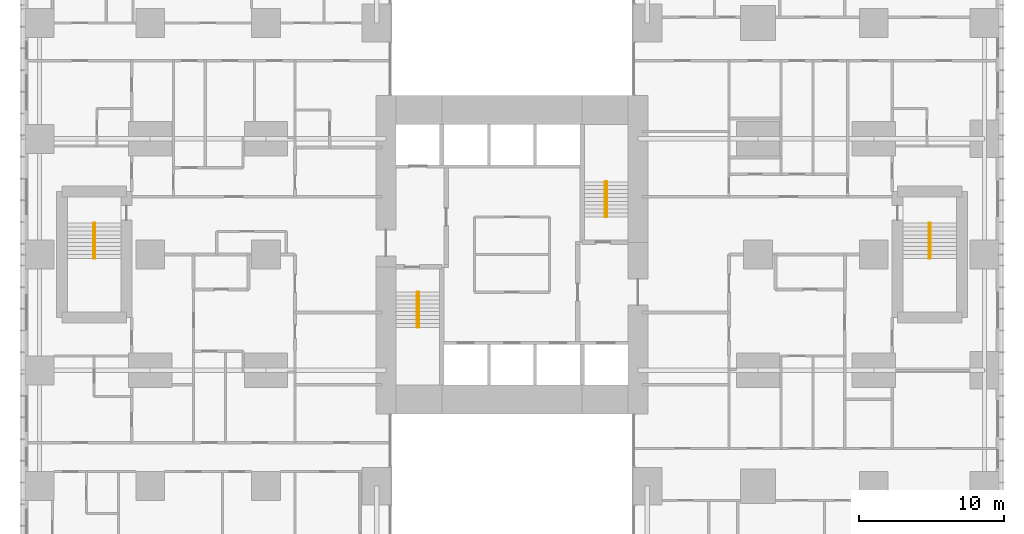
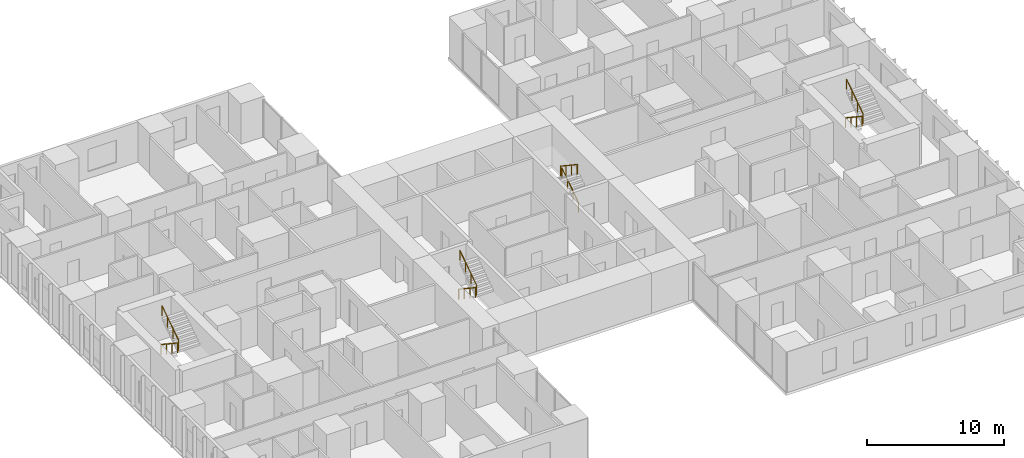
# One storey, part 20 of 20: 8 railings.
"""IFC4 building model written with IfcOpenShell, lengths in metres."""

from ifc_helpers import new_model, si_unit, direction, frame, origin, origin_2d, place, context, subcontext, project, spatial, circle, extrude, material, type_object, element, save


model = new_model("IFC4")

# Units and contexts
model_context = context("Model", 3, precision=1e-05, world=origin(), true_north=direction((0.0, 1.0)))
body_context = subcontext(model_context, "Body", "Model", "MODEL_VIEW")
ifc_project = project(units=[si_unit("LENGTHUNIT", "METRE"), si_unit("AREAUNIT", "SQUARE_METRE"), si_unit("VOLUMEUNIT", "CUBIC_METRE"), si_unit("PLANEANGLEUNIT", "RADIAN"), si_unit("MASSUNIT", "GRAM", prefix="KILO")], contexts=[model_context])

# Site, building, storey
site_placement = place(None, origin())
site = spatial("IfcSite", under=ifc_project, at=site_placement, CompositionType="ELEMENT")
building_placement = place(site_placement, origin())
building = spatial("IfcBuilding", under=site, at=building_placement, Name="Cleftline Residences", CompositionType="ELEMENT")
storey_placement = place(building_placement, frame((0.0, 0.0, 69.199951171875)))
storey = spatial("IfcBuildingStorey", under=building, at=storey_placement, Name="L17", CompositionType="ELEMENT", Elevation=69.199951171875)

# Railings
ifc_material = material(Name="Stainless steel", Category="steel")
railing_type = type_object("IfcRailingType", Name="HANDRAIL 900", PredefinedType="HANDRAIL", material=ifc_material)
railing_1_placement = place(storey_placement, frame((26.449951171875, 21.39990234375, 0.179931640625)))
element("IfcRailing", 1, at=railing_1_placement, inside=storey, type_object=railing_type, Name="Stair handrail", PredefinedType="HANDRAIL", context=body_context, shape_type="SweptSolid", body=[
    extrude(circle(Radius=0.02392578125, at=origin_2d()), frame((0.0, 0.0, 0.8759765625), z_axis=(0.0, -0.832024571796, 0.554738778101), x_axis=(1.0, 0.0, 0.0)), (0.0, 0.0, 1.0), 2.92041015625),
    extrude(circle(Radius=0.02099609375, at=origin_2d()), origin(), (0.0, 0.0, 1.0), 0.851806640625),
    extrude(circle(Radius=0.02099609375, at=origin_2d()), frame((0.0, -0.81005859375, 0.5400390625)), (0.0, 0.0, 1.0), 0.851806640625),
    extrude(circle(Radius=0.02099609375, at=origin_2d()), frame((0.0, -1.619873046875, 1.080078125)), (0.0, 0.0, 1.0), 0.851806640625),
    extrude(circle(Radius=0.02099609375, at=origin_2d()), frame((0.0, -2.429931640625, 1.6201171875)), (0.0, 0.0, 1.0), 0.851806640625),
])
for number, where, name in (
    (2, (26.550048828125, 18.969970703125, 1.97998046875), "Stair handrail"),
    (3, (39.550048828125, 26.60009765625, 0.179931640625), "Stair handrail"),
):
    element("IfcRailing", number, at=place(storey_placement, frame(where)), inside=storey, type_object=railing_type, Name=name, PredefinedType="HANDRAIL", context=body_context, shape_type="SweptSolid", body=[
        extrude(circle(Radius=0.02392578125, at=origin_2d()), frame((0.0, 0.0, 0.8759765625), z_axis=(0.0, 0.832024571796, 0.554738778101), x_axis=(-1.0, 0.0, 0.0)), (0.0, 0.0, 1.0), 2.92041015625),
        extrude(circle(Radius=0.02099609375, at=origin_2d()), origin(), (0.0, 0.0, 1.0), 0.851806640625),
        extrude(circle(Radius=0.02099609375, at=origin_2d()), frame((0.0, 0.81005859375, 0.5400390625)), (0.0, 0.0, 1.0), 0.851806640625),
        extrude(circle(Radius=0.02099609375, at=origin_2d()), frame((0.0, 1.619873046875, 1.080078125)), (0.0, 0.0, 1.0), 0.851806640625),
        extrude(circle(Radius=0.02099609375, at=origin_2d()), frame((0.0, 2.429931640625, 1.6201171875)), (0.0, 0.0, 1.0), 0.851806640625),
    ])
for number, where, name in (
    (4, (39.449951171875, 29.030029296875, 1.97998046875), "Stair handrail"),
    (5, (61.824951171875, 26.175048828125, 0.179931640625), "Stair handrail"),
):
    element("IfcRailing", number, at=place(storey_placement, frame(where)), inside=storey, type_object=railing_type, Name=name, PredefinedType="HANDRAIL", context=body_context, shape_type="SweptSolid", body=[
        extrude(circle(Radius=0.02392578125, at=origin_2d()), frame((0.0, 0.0, 0.8759765625), z_axis=(0.0, -0.832024571796, 0.554738778101), x_axis=(1.0, 0.0, 0.0)), (0.0, 0.0, 1.0), 2.92041015625),
        extrude(circle(Radius=0.02099609375, at=origin_2d()), origin(), (0.0, 0.0, 1.0), 0.851806640625),
        extrude(circle(Radius=0.02099609375, at=origin_2d()), frame((0.0, -0.81005859375, 0.5400390625)), (0.0, 0.0, 1.0), 0.851806640625),
        extrude(circle(Radius=0.02099609375, at=origin_2d()), frame((0.0, -1.619873046875, 1.080078125)), (0.0, 0.0, 1.0), 0.851806640625),
        extrude(circle(Radius=0.02099609375, at=origin_2d()), frame((0.0, -2.429931640625, 1.6201171875)), (0.0, 0.0, 1.0), 0.851806640625),
    ])
railing_2_placement = place(storey_placement, frame((61.925048828125, 23.7451171875, 1.97998046875)))
element("IfcRailing", 6, at=railing_2_placement, inside=storey, type_object=railing_type, Name="Stair handrail", PredefinedType="HANDRAIL", context=body_context, shape_type="SweptSolid", body=[
    extrude(circle(Radius=0.02392578125, at=origin_2d()), frame((0.0, 0.0, 0.8759765625), z_axis=(0.0, 0.832024571796, 0.554738778101), x_axis=(-1.0, 0.0, 0.0)), (0.0, 0.0, 1.0), 2.92041015625),
    extrude(circle(Radius=0.02099609375, at=origin_2d()), origin(), (0.0, 0.0, 1.0), 0.851806640625),
    extrude(circle(Radius=0.02099609375, at=origin_2d()), frame((0.0, 0.81005859375, 0.5400390625)), (0.0, 0.0, 1.0), 0.851806640625),
    extrude(circle(Radius=0.02099609375, at=origin_2d()), frame((0.0, 1.619873046875, 1.080078125)), (0.0, 0.0, 1.0), 0.851806640625),
    extrude(circle(Radius=0.02099609375, at=origin_2d()), frame((0.0, 2.429931640625, 1.6201171875)), (0.0, 0.0, 1.0), 0.851806640625),
])
railing_3_placement = place(storey_placement, frame((4.074951171875, 26.175048828125, 0.179931640625)))
element("IfcRailing", 7, at=railing_3_placement, inside=storey, type_object=railing_type, Name="Stair handrail", PredefinedType="HANDRAIL", context=body_context, shape_type="SweptSolid", body=[
    extrude(circle(Radius=0.02392578125, at=origin_2d()), frame((0.0, 0.0, 0.8759765625), z_axis=(0.0, -0.832024571796, 0.554738778101), x_axis=(1.0, 0.0, 0.0)), (0.0, 0.0, 1.0), 2.92041015625),
    extrude(circle(Radius=0.02099609375, at=origin_2d()), origin(), (0.0, 0.0, 1.0), 0.851806640625),
    extrude(circle(Radius=0.02099609375, at=origin_2d()), frame((0.0, -0.81005859375, 0.5400390625)), (0.0, 0.0, 1.0), 0.851806640625),
    extrude(circle(Radius=0.02099609375, at=origin_2d()), frame((0.0, -1.619873046875, 1.080078125)), (0.0, 0.0, 1.0), 0.851806640625),
    extrude(circle(Radius=0.02099609375, at=origin_2d()), frame((0.0, -2.429931640625, 1.6201171875)), (0.0, 0.0, 1.0), 0.851806640625),
])
railing_4_placement = place(storey_placement, frame((4.175048828125, 23.7451171875, 1.97998046875)))
element("IfcRailing", 8, at=railing_4_placement, inside=storey, type_object=railing_type, Name="Stair handrail", PredefinedType="HANDRAIL", context=body_context, shape_type="SweptSolid", body=[
    extrude(circle(Radius=0.02392578125, at=origin_2d()), frame((0.0, 0.0, 0.8759765625), z_axis=(0.0, 0.832024571796, 0.554738778101), x_axis=(-1.0, 0.0, 0.0)), (0.0, 0.0, 1.0), 2.92041015625),
    extrude(circle(Radius=0.02099609375, at=origin_2d()), origin(), (0.0, 0.0, 1.0), 0.851806640625),
    extrude(circle(Radius=0.02099609375, at=origin_2d()), frame((0.0, 0.81005859375, 0.5400390625)), (0.0, 0.0, 1.0), 0.851806640625),
    extrude(circle(Radius=0.02099609375, at=origin_2d()), frame((0.0, 1.619873046875, 1.080078125)), (0.0, 0.0, 1.0), 0.851806640625),
    extrude(circle(Radius=0.02099609375, at=origin_2d()), frame((0.0, 2.429931640625, 1.6201171875)), (0.0, 0.0, 1.0), 0.851806640625),
])

save(model, "model.ifc")
